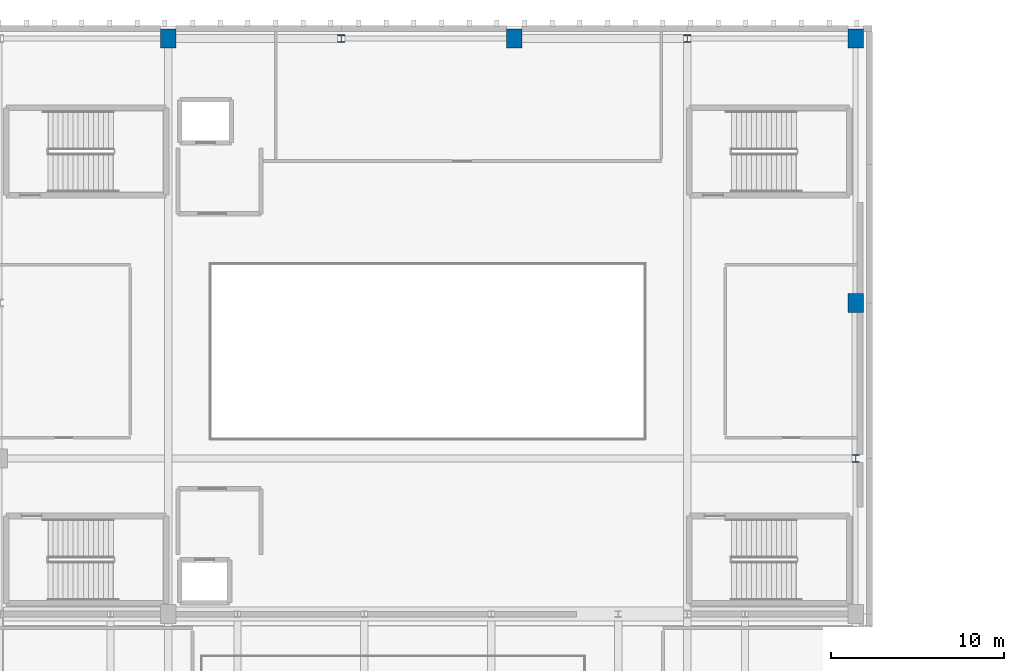
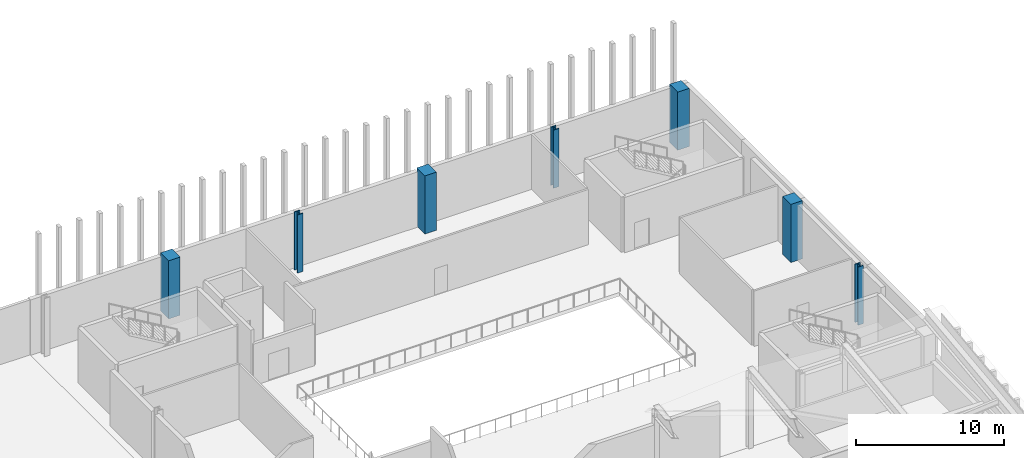
# One storey, part 7 of 30: 7 columns.
"""IFC4 building model written with IfcOpenShell, lengths in metres."""

from ifc_helpers import new_model, si_unit, direction, frame, origin, origin_2d, place, context, subcontext, project, spatial, rectangle, i_section, extrude, material, material_profile, profile_set, type_object, element, save


model = new_model("IFC4")

# Units and contexts
model_context = context("Model", 3, precision=1e-05, world=origin(), true_north=direction((0.0, 1.0)))
body_context = subcontext(model_context, "Body", "Model", "MODEL_VIEW")
ifc_project = project(units=[si_unit("LENGTHUNIT", "METRE"), si_unit("AREAUNIT", "SQUARE_METRE"), si_unit("VOLUMEUNIT", "CUBIC_METRE"), si_unit("PLANEANGLEUNIT", "RADIAN"), si_unit("MASSUNIT", "GRAM", prefix="KILO")], contexts=[model_context])

# Site, building, storey
site_placement = place(None, origin())
site = spatial("IfcSite", under=ifc_project, at=site_placement, CompositionType="ELEMENT")
building_placement = place(site_placement, origin())
building = spatial("IfcBuilding", under=site, at=building_placement, Name="Trimount Lyric Opera House", CompositionType="ELEMENT")
storey_placement = place(building_placement, frame((0.0, 0.0, 24.800048828125)))
storey = spatial("IfcBuildingStorey", under=building, at=storey_placement, Name="L05", CompositionType="ELEMENT", Elevation=24.800048828125)

# Columns
ifc_material_1 = material(Name="Steel ASTM A992 Grade 50", Category="steel")
ifc_material_profile_1 = material_profile(ifc_material_1, i_section(OverallWidth=0.422119140625, OverallDepth=0.465087890625, WebThickness=0.044921875, FlangeThickness=0.072509765625, FilletRadius=0.02001953125, at=origin_2d()), Name="W14X398")
ifc_profile_set_1 = profile_set([ifc_material_profile_1], Name="Steel ASTM A992 Grade 50")
column_type_1 = type_object("IfcColumnType", Name="C-01", PredefinedType="COLUMN", material=ifc_profile_set_1)
for number, where, z_axis, x_axis, name in (
    (1, (84.0, 117.280029296875, 0.0), (0.0, 0.0, 1.0), (1.0, 0.0, 0.0), "L05 column 10/P"),
    (2, (104.0, 117.280029296875, 0.0), (0.0, 0.0, 1.0), (1.0, 0.0, 0.0), "L05 column 12/P"),
    (3, (113.739990234375, 93.0, 0.0), (0.0, 0.0, 1.0), (1.0, 0.0, 0.0), "L05 column 13/L"),
):
    element("IfcColumn", number, at=place(storey_placement, frame(where, z_axis=z_axis, x_axis=x_axis)), inside=storey, type_object=column_type_1, Name=name, PredefinedType="COLUMN", context=body_context, shape_type="SweptSolid", body=[
        extrude(i_section(OverallWidth=0.422119140625, OverallDepth=0.465087890625, WebThickness=0.044921875, FlangeThickness=0.072509765625, FilletRadius=0.02001953125, at=origin_2d()), origin(), (0.0, 0.0, 1.0), 4.800048828125),
    ])
ifc_material_2 = material(Name="Concrete C50/60", Category="concrete")
ifc_material_profile_2 = material_profile(ifc_material_2, rectangle(XDim=0.89990234375, YDim=1.10009765625, at=origin_2d()), Name="RC1100X900")
ifc_profile_set_2 = profile_set([ifc_material_profile_2], Name="Concrete C50/60")
column_type_2 = type_object("IfcColumnType", Name="C-11", PredefinedType="COLUMN", material=ifc_profile_set_2)
for number, where, z_axis, x_axis, name in (
    (4, (74.0, 117.280029296875, 0.0), (0.0, 0.0, 1.0), (1.0, 0.0, 0.0), "L05 column 9/P"),
    (5, (94.0, 117.280029296875, 0.0), (0.0, 0.0, 1.0), (1.0, 0.0, 0.0), "L05 column 11/P"),
    (6, (113.739990234375, 102.0, 0.0), (0.0, 0.0, 1.0), (1.0, 0.0, 0.0), "L05 column 13/M"),
    (7, (113.739990234375, 117.280029296875, 0.0), (0.0, 0.0, 1.0), (1.0, 0.0, 0.0), "L05 column 13/P"),
):
    element("IfcColumn", number, at=place(storey_placement, frame(where, z_axis=z_axis, x_axis=x_axis)), inside=storey, type_object=column_type_2, Name=name, PredefinedType="COLUMN", context=body_context, shape_type="SweptSolid", body=[
        extrude(rectangle(XDim=0.89990234375, YDim=1.10009765625, at=origin_2d()), origin(), (0.0, 0.0, 1.0), 4.800048828125),
    ])

save(model, "model.ifc")
